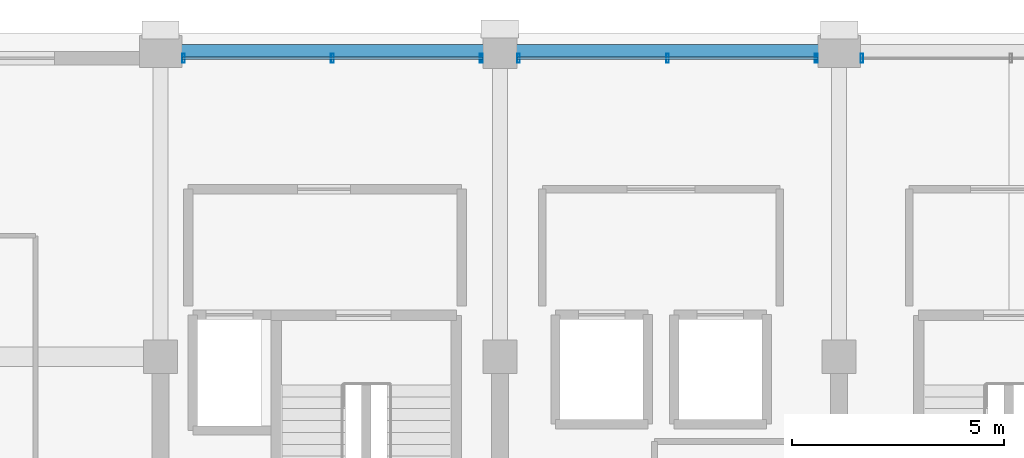
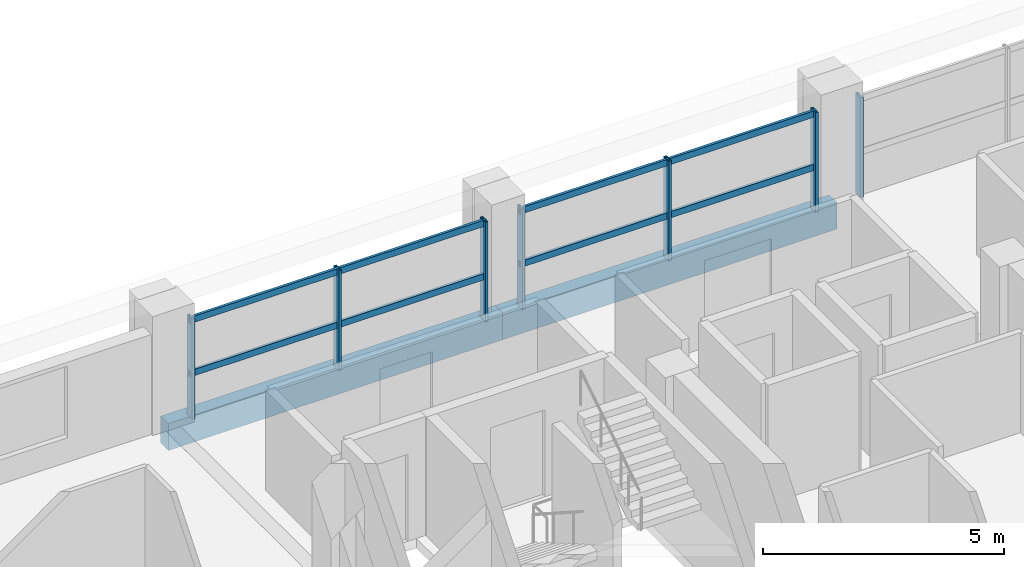
# One storey, part 12 of 22: 11 members, 2 beams, 3 elements without a shape of their own.
"""IFC4 building model written with IfcOpenShell, lengths in metres."""

from ifc_helpers import new_model, si_unit, direction, frame, origin, origin_2d, place, context, subcontext, project, spatial, rectangle, hollow_rectangle, extrude, material, material_profile, profile_set, type_object, element, aggregate, save


model = new_model("IFC4")

# Units and contexts
model_context = context("Model", 3, precision=1e-05, world=origin(), true_north=direction((0.0, 1.0)))
body_context = subcontext(model_context, "Body", "Model", "MODEL_VIEW")
ifc_project = project(units=[si_unit("LENGTHUNIT", "METRE"), si_unit("AREAUNIT", "SQUARE_METRE"), si_unit("VOLUMEUNIT", "CUBIC_METRE"), si_unit("PLANEANGLEUNIT", "RADIAN"), si_unit("MASSUNIT", "GRAM", prefix="KILO")], contexts=[model_context])

# Site, building, storey
site_placement = place(None, origin())
site = spatial("IfcSite", under=ifc_project, at=site_placement, CompositionType="ELEMENT")
building_placement = place(site_placement, origin())
building = spatial("IfcBuilding", under=site, at=building_placement, Name="Akrevak Sports Hall", CompositionType="ELEMENT")
storey_placement = place(building_placement, frame((0.0, 0.0, 40.550048828125)))
storey = spatial("IfcBuildingStorey", under=building, at=storey_placement, Name="L09", CompositionType="ELEMENT", Elevation=40.550048828125)

# Curtain wall, member
ifc_material_1 = material(Name="Anodized Bronze Aluminium & Low-E Glass", Category="aluminium")
curtain_wall_type = type_object("IfcCurtainWallType", Name="ARC-CW-TWR-68x30", PredefinedType="NOTDEFINED", material=ifc_material_1)
curtain_wall_1_placement = place(storey_placement, origin())
curtain_wall_1 = element("IfcCurtainWall", 1, at=curtain_wall_1_placement, inside=storey, type_object=curtain_wall_type, Name="Curtain Wall CW-L09-N22", PredefinedType="NOTDEFINED")
ifc_material_2 = material(Name="Anodized Bronze Aluminium", Category="aluminium")
ifc_material_profile_1 = material_profile(ifc_material_2, hollow_rectangle(XDim=0.06494140625, YDim=0.219970703125, WallThickness=0.00439453125, at=origin_2d()), Name="CWM 65x220", Category="aluminium")
ifc_profile_set_1 = profile_set([ifc_material_profile_1], Name="Anodized Bronze Aluminium")
member_type_1 = type_object("IfcMemberType", Name="ARC-CWM-70x160", PredefinedType="MULLION", material=ifc_profile_set_1)
member_1_placement = place(storey_placement, frame((76.5400390625, 69.43994140625, 0.0), z_axis=(0.0, 0.0, 1.0), x_axis=(-1.0, 0.0, 0.0)))
member_1 = element("IfcMember", 2, at=member_1_placement, type_object=member_type_1, Name="Curtain Wall Mullion CW-L09-N22-M3", PredefinedType="MULLION", context=body_context, shape_type="SweptSolid", body=[
    extrude(hollow_rectangle(XDim=0.06494140625, YDim=0.219970703125, WallThickness=0.00439453125, at=origin_2d()), origin(), (0.0, 0.0, 1.0), 2.530029296875),
])
aggregate(curtain_wall_1, [member_1])

# Curtain wall, members
curtain_wall_2_placement = place(storey_placement, origin())
curtain_wall_2 = element("IfcCurtainWall", 3, at=curtain_wall_2_placement, inside=storey, type_object=curtain_wall_type, Name="Curtain Wall CW-L09-N23", PredefinedType="NOTDEFINED")
member_2_placement = place(storey_placement, frame((75.4599609375, 69.43994140625, 0.0), z_axis=(0.0, 0.0, 1.0), x_axis=(-1.0, 0.0, 0.0)))
member_2 = element("IfcMember", 4, at=member_2_placement, type_object=member_type_1, Name="Curtain Wall Mullion CW-L09-N23-M1", PredefinedType="MULLION", context=body_context, shape_type="SweptSolid", body=[
    extrude(hollow_rectangle(XDim=0.06494140625, YDim=0.219970703125, WallThickness=0.00439453125, at=origin_2d()), origin(), (0.0, 0.0, 1.0), 2.530029296875),
])
member_3_placement = place(storey_placement, frame((71.949951171875, 69.43994140625, 0.0), z_axis=(0.0, 0.0, 1.0), x_axis=(-1.0, 0.0, 0.0)))
member_3 = element("IfcMember", 5, at=member_3_placement, type_object=member_type_1, Name="Curtain Wall Mullion CW-L09-N23-M2", PredefinedType="MULLION", context=body_context, shape_type="SweptSolid", body=[
    extrude(hollow_rectangle(XDim=0.06494140625, YDim=0.219970703125, WallThickness=0.00439453125, at=origin_2d()), origin(), (0.0, 0.0, 1.0), 2.530029296875),
])
member_4_placement = place(storey_placement, frame((68.43994140625, 69.43994140625, 0.0), z_axis=(0.0, 0.0, 1.0), x_axis=(-1.0, 0.0, 0.0)))
member_4 = element("IfcMember", 6, at=member_4_placement, type_object=member_type_1, Name="Curtain Wall Mullion CW-L09-N23-M3", PredefinedType="MULLION", context=body_context, shape_type="SweptSolid", body=[
    extrude(hollow_rectangle(XDim=0.06494140625, YDim=0.219970703125, WallThickness=0.00439453125, at=origin_2d()), origin(), (0.0, 0.0, 1.0), 2.530029296875),
])

curtain_wall_3_placement = place(storey_placement, origin())
curtain_wall_3 = element("IfcCurtainWall", 7, at=curtain_wall_3_placement, inside=storey, type_object=curtain_wall_type, Name="Curtain Wall CW-L09-N24", PredefinedType="NOTDEFINED")
member_5_placement = place(storey_placement, frame((67.56005859375, 69.43994140625, 0.0), z_axis=(0.0, 0.0, 1.0), x_axis=(-1.0, 0.0, 0.0)))
member_5 = element("IfcMember", 8, at=member_5_placement, type_object=member_type_1, Name="Curtain Wall Mullion CW-L09-N24-M1", PredefinedType="MULLION", context=body_context, shape_type="SweptSolid", body=[
    extrude(hollow_rectangle(XDim=0.06494140625, YDim=0.219970703125, WallThickness=0.00439453125, at=origin_2d()), origin(), (0.0, 0.0, 1.0), 2.530029296875),
])
member_6_placement = place(storey_placement, frame((64.050048828125, 69.43994140625, 0.0), z_axis=(0.0, 0.0, 1.0), x_axis=(-1.0, 0.0, 0.0)))
member_6 = element("IfcMember", 9, at=member_6_placement, type_object=member_type_1, Name="Curtain Wall Mullion CW-L09-N24-M2", PredefinedType="MULLION", context=body_context, shape_type="SweptSolid", body=[
    extrude(hollow_rectangle(XDim=0.06494140625, YDim=0.219970703125, WallThickness=0.00439453125, at=origin_2d()), origin(), (0.0, 0.0, 1.0), 2.530029296875),
])
member_7_placement = place(storey_placement, frame((60.5400390625, 69.43994140625, 0.0), z_axis=(0.0, 0.0, 1.0), x_axis=(-1.0, 0.0, 0.0)))
member_7 = element("IfcMember", 10, at=member_7_placement, type_object=member_type_1, Name="Curtain Wall Mullion CW-L09-N24-M3", PredefinedType="MULLION", context=body_context, shape_type="SweptSolid", body=[
    extrude(hollow_rectangle(XDim=0.06494140625, YDim=0.219970703125, WallThickness=0.00439453125, at=origin_2d()), origin(), (0.0, 0.0, 1.0), 2.530029296875),
])

# Member
ifc_material_profile_2 = material_profile(ifc_material_2, hollow_rectangle(XDim=0.06494140625, YDim=0.159912109375, WallThickness=0.00390625, at=origin_2d()), Name="CWT 65x160", Category="aluminium")
ifc_profile_set_2 = profile_set([ifc_material_profile_2], Name="Anodized Bronze Aluminium")
member_type_2 = type_object("IfcMemberType", Name="ARC-CWT-70x130", PredefinedType="USERDEFINED", material=ifc_profile_set_2)
member_8_placement = place(storey_placement, frame((75.5, 69.43994140625, 1.099853515625), z_axis=(-1.0, 0.0, 0.0), x_axis=(0.0, -1.0, 0.0)))
member_8 = element("IfcMember", 11, at=member_8_placement, type_object=member_type_2, Name="Curtain Wall Transom CW-L09-N23-T1", ObjectType="TRANSOM", PredefinedType="USERDEFINED", context=body_context, shape_type="SweptSolid", body=[
    extrude(hollow_rectangle(XDim=0.06494140625, YDim=0.159912109375, WallThickness=0.00390625, at=origin_2d()), origin(), (0.0, 0.0, 1.0), 7.10009765625),
])

member_9_placement = place(storey_placement, frame((75.5, 69.43994140625, 2.449951171875), z_axis=(-1.0, 0.0, 0.0), x_axis=(0.0, -1.0, 0.0)))
member_9 = element("IfcMember", 12, at=member_9_placement, type_object=member_type_2, Name="Curtain Wall Transom CW-L09-N23-T2", ObjectType="TRANSOM", PredefinedType="USERDEFINED", context=body_context, shape_type="SweptSolid", body=[
    extrude(hollow_rectangle(XDim=0.06494140625, YDim=0.159912109375, WallThickness=0.00390625, at=origin_2d()), origin(), (0.0, 0.0, 1.0), 7.10009765625),
])

aggregate(curtain_wall_2, [member_2, member_3, member_4, member_8, member_9])

member_10_placement = place(storey_placement, frame((67.60009765625, 69.43994140625, 1.099853515625), z_axis=(-1.0, 0.0, 0.0), x_axis=(0.0, -1.0, 0.0)))
member_10 = element("IfcMember", 13, at=member_10_placement, type_object=member_type_2, Name="Curtain Wall Transom CW-L09-N24-T1", ObjectType="TRANSOM", PredefinedType="USERDEFINED", context=body_context, shape_type="SweptSolid", body=[
    extrude(hollow_rectangle(XDim=0.06494140625, YDim=0.159912109375, WallThickness=0.00390625, at=origin_2d()), origin(), (0.0, 0.0, 1.0), 7.10009765625),
])

member_11_placement = place(storey_placement, frame((67.60009765625, 69.43994140625, 2.449951171875), z_axis=(-1.0, 0.0, 0.0), x_axis=(0.0, -1.0, 0.0)))
member_11 = element("IfcMember", 14, at=member_11_placement, type_object=member_type_2, Name="Curtain Wall Transom CW-L09-N24-T2", ObjectType="TRANSOM", PredefinedType="USERDEFINED", context=body_context, shape_type="SweptSolid", body=[
    extrude(hollow_rectangle(XDim=0.06494140625, YDim=0.159912109375, WallThickness=0.00390625, at=origin_2d()), origin(), (0.0, 0.0, 1.0), 7.10009765625),
])

aggregate(curtain_wall_3, [member_5, member_6, member_7, member_10, member_11])

# Beams
ifc_material_3 = material(Name="Concrete C40/50", Category="concrete")
ifc_material_profile_3 = material_profile(ifc_material_3, rectangle(XDim=0.320068359375, YDim=0.679931640625, at=origin_2d()), Name="SPD 320x680", Category="concrete")
ifc_profile_set_3 = profile_set([ifc_material_profile_3], Name="Concrete C40/50")
beam_type = type_object("IfcBeamType", Name="STR-SPD-RC320x680", PredefinedType="SPANDREL", material=ifc_profile_set_3)
for number, where, z_axis, x_axis, name in (
    (15, (60.0, 69.60009765625, -0.340087890625), (1.0, 0.0, 0.0), (0.0, 1.0, 0.0), "Girder K/9-10 (L09)"),
    (16, (68.0, 69.60009765625, -0.340087890625), (1.0, 0.0, 0.0), (0.0, 1.0, 0.0), "Girder K/10-11 (L09)"),
):
    element("IfcBeam", number, at=place(storey_placement, frame(where, z_axis=z_axis, x_axis=x_axis)), inside=storey, type_object=beam_type, Name=name, PredefinedType="SPANDREL", context=body_context, shape_type="SweptSolid", body=[
        extrude(rectangle(XDim=0.320068359375, YDim=0.679931640625, at=origin_2d()), origin(), (0.0, 0.0, 1.0), 8.0),
    ])

save(model, "model.ifc")
